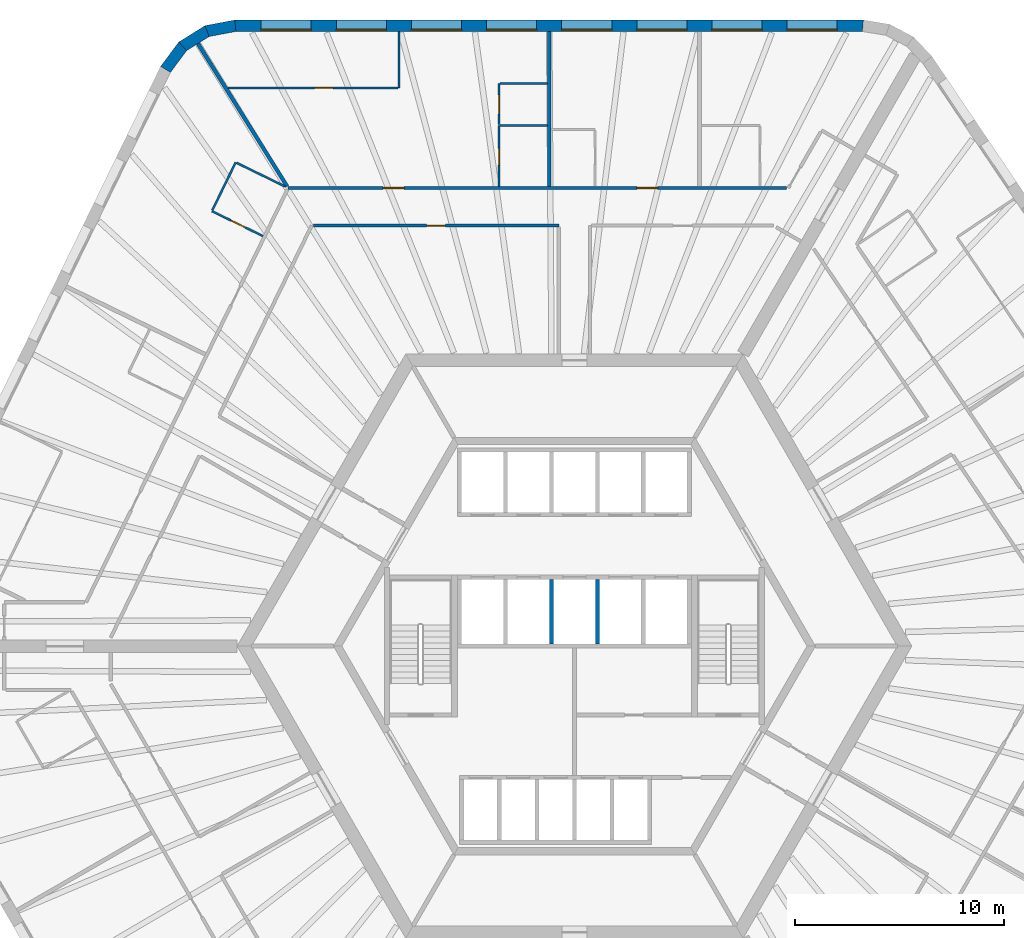
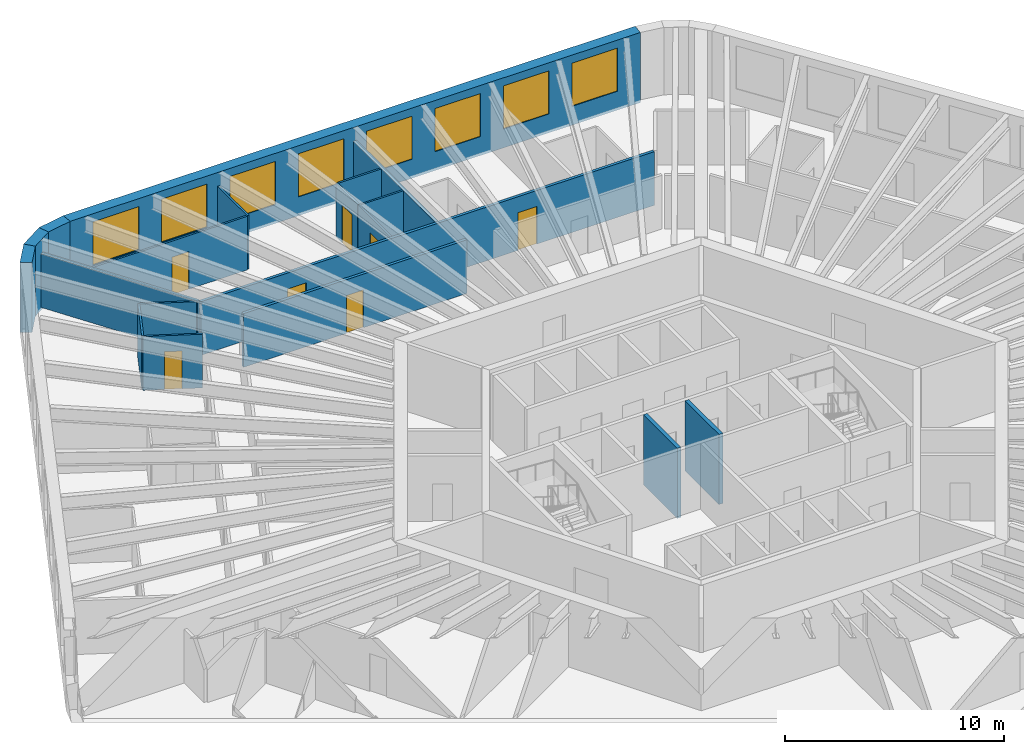
# One storey, part 8 of 12: 19 walls, 8 windows, 7 doors, 15 openings.
"""IFC4 building model written with IfcOpenShell, lengths in metres."""

import ifcopenshell
import ifcopenshell.guid

model = None  # the IFC model being written
_history = None  # IfcOwnerHistory: only IFC2X3 demands one
_inside = {}  # id of a spatial element -> (the spatial element, [elements in it])
_under = {}  # id of a project, library or spatial element -> (it, [spatial elements below it])
_declared = {}  # id of a project -> (the project, [libraries it declares])
_typed = {}  # id of a type object -> (the type object, [elements of that type])
_made_of = {}  # id of a material, layer set ... -> (it, [elements and type objects made of it])


def new_model(schema):
    """Start an empty IFC model of exactly this schema.

    Asked for "IFC4X3", IfcOpenShell would pick the latest addendum, in which some entities
    have other attributes; the version numbers below select the first issue.
    IFC2X3 requires an IfcOwnerHistory on every rooted entity: one is made here for all.
    """
    global model, _history
    if schema == "IFC4X3":
        model = ifcopenshell.file(schema_version=(4, 3, 0, 0))
    else:
        model = ifcopenshell.file(schema=schema)
    _inside.clear()
    _under.clear()
    _declared.clear()
    _typed.clear()
    _made_of.clear()
    _history = None
    if model.schema == "IFC2X3":
        org = make("IfcOrganization", Name="unknown")
        user = make(
            "IfcPersonAndOrganization",
            ThePerson=make("IfcPerson", FamilyName="unknown"),
            TheOrganization=org,
        )
        app = make(
            "IfcApplication",
            ApplicationDeveloper=org,
            Version="unknown",
            ApplicationFullName="unknown",
            ApplicationIdentifier="unknown",
        )
        _history = make(
            "IfcOwnerHistory",
            OwningUser=user,
            OwningApplication=app,
            ChangeAction="ADDED",
            CreationDate=0,
        )
    return model


def make(cls, **values):
    """One entity of the class cls with the attributes given. An attribute that is None is left unset."""
    return model.create_entity(
        cls, **{name: value for name, value in values.items() if value is not None}
    )


def rooted(cls, **values):
    """An entity with a GlobalId (a new one), such as an element, a storey or a relation."""
    return make(cls, GlobalId=ifcopenshell.guid.new(), OwnerHistory=_history, **values)


def si_unit(unit_type, name, prefix=None):
    """IfcSIUnit, for example si_unit("LENGTHUNIT", "METRE", prefix="MILLI")."""
    return make("IfcSIUnit", UnitType=unit_type, Prefix=prefix, Name=name)


def assignment(units):
    """IfcUnitAssignment: the units of a project."""
    return None if units is None else make("IfcUnitAssignment", Units=units)


def point(xyz):
    """IfcCartesianPoint."""
    return None if xyz is None else make("IfcCartesianPoint", Coordinates=xyz)


def direction(xyz):
    """IfcDirection."""
    return None if xyz is None else make("IfcDirection", DirectionRatios=xyz)


def frame(location, z_axis=None, x_axis=None):
    """IfcAxis2Placement3D, a coordinate frame: its origin and axes. An axis left out is left unset."""
    return make(
        "IfcAxis2Placement3D",
        Location=point(location),
        Axis=direction(z_axis),
        RefDirection=direction(x_axis),
    )


def frame_2d(location, x_axis=None):
    """IfcAxis2Placement2D, a coordinate frame in the plane: its origin and x axis."""
    return make(
        "IfcAxis2Placement2D", Location=point(location), RefDirection=direction(x_axis)
    )


def origin():
    """The frame at (0, 0, 0) with its axes left unset."""
    return frame((0.0, 0.0, 0.0))


def place(relative_to, where):
    """IfcLocalPlacement: puts the frame where relative to a parent placement (None: the world)."""
    return make(
        "IfcLocalPlacement", PlacementRelTo=relative_to, RelativePlacement=where
    )


def context(
    kind, dimensions, precision=None, world=None, true_north=None, identifier=None
):
    """IfcGeometricRepresentationContext, for example the 3D "Model" context."""
    return make(
        "IfcGeometricRepresentationContext",
        ContextIdentifier=identifier,
        ContextType=kind,
        CoordinateSpaceDimension=dimensions,
        Precision=precision,
        WorldCoordinateSystem=world,
        TrueNorth=true_north,
    )


def subcontext(parent, identifier, kind, view, scale=None):
    """IfcGeometricRepresentationSubContext, for example "Body" below "Model"."""
    return make(
        "IfcGeometricRepresentationSubContext",
        ContextIdentifier=identifier,
        ContextType=kind,
        ParentContext=parent,
        TargetScale=scale,
        TargetView=view,
    )


def project(units=None, contexts=None):
    """IfcProject with its units and contexts."""
    return rooted(
        "IfcProject",
        Name="project",
        RepresentationContexts=contexts,
        UnitsInContext=assignment(units),
    )


def spatial(cls, under=None, at=None, **own):
    """A site, building, storey or space (cls), placed at a placement, below another one or the project."""
    s = rooted(cls, ObjectPlacement=at, **own)
    if under is not None:
        _under.setdefault(under.id(), (under, []))[1].append(s)
    return s


def polyline(points):
    """IfcPolyline through the points."""
    return make("IfcPolyline", Points=[point(p) for p in points])


def profile(cls, at=None, kind="AREA", **sizes):
    """A parametric profile (cls). Its sizes go by their IFC names, for example OverallWidth=200.0."""
    return make(cls, ProfileType=kind, Position=at, **sizes)


def rectangle(**sizes):
    """IfcRectangleProfileDef."""
    return profile("IfcRectangleProfileDef", **sizes)


def outline(outer, holes=None, kind="AREA"):
    """IfcArbitraryClosedProfileDef: a profile drawn as a closed curve; with holes, ...WithVoids."""
    if holes is None:
        return make("IfcArbitraryClosedProfileDef", ProfileType=kind, OuterCurve=outer)
    return make(
        "IfcArbitraryProfileDefWithVoids",
        ProfileType=kind,
        OuterCurve=outer,
        InnerCurves=holes,
    )


def extrude(swept, where, along, depth):
    """IfcExtrudedAreaSolid: the profile swept, set in the frame where, extruded along a direction by depth."""
    return make(
        "IfcExtrudedAreaSolid",
        SweptArea=swept,
        Position=where,
        ExtrudedDirection=direction(along),
        Depth=depth,
    )


def shape(context_of_items, identifier, shape_type, items):
    """IfcShapeRepresentation: the items that make up one representation, for example the "Body"."""
    return make(
        "IfcShapeRepresentation",
        ContextOfItems=context_of_items,
        RepresentationIdentifier=identifier,
        RepresentationType=shape_type,
        Items=items,
    )


def material(Name=None, Category=None):
    """IfcMaterial."""
    return make("IfcMaterial", Name=Name, Category=Category)


def layer(
    of_material, thickness, ventilated=None, Name=None, Category=None, Priority=None
):
    """IfcMaterialLayer: one layer of a wall or slab, of a material (None: an air gap)."""
    return make(
        "IfcMaterialLayer",
        Material=of_material,
        LayerThickness=thickness,
        IsVentilated=ventilated,
        Name=Name,
        Category=Category,
        Priority=Priority,
    )


def layer_set(layers, Name=None):
    """IfcMaterialLayerSet."""
    return make("IfcMaterialLayerSet", MaterialLayers=layers, LayerSetName=Name)


def made_of(thing, what):
    """Note that an element or type object is made of a material, layer set ...; save() writes the relation."""
    if what is not None:
        _made_of.setdefault(what.id(), (what, []))[1].append(thing)
    return thing


def type_object(cls, material=None, **own):
    """A type object (cls), such as IfcWallType, which elements share."""
    return made_of(rooted(cls, **own), material)


def element(
    cls,
    number,
    at=None,
    inside=None,
    cuts=None,
    type_object=None,
    material=None,
    context=None,
    identifier="Body",
    shape_type=None,
    held_by="IfcProductDefinitionShape",
    body=None,
    shapes=None,
    **own,
):
    """One element of the class cls, such as IfcWall. Its Tag is "e" and its number.

    at: its placement. inside: the storey or other place that contains it. cuts: it is an
    opening in that element (IfcRelVoidsElement). A single representation is given by context,
    identifier, shape_type and body (its items); several are given by shapes. held_by: the class
    of the entity that holds the representations. save() writes the other relations.
    """
    e = rooted(cls, Tag="e%d" % number, ObjectPlacement=at, **own)
    if body is not None:
        shapes = [shape(context, identifier, shape_type, body)]
    if shapes is not None:
        e.Representation = make(held_by, Representations=shapes)
    if inside is not None:
        _inside.setdefault(inside.id(), (inside, []))[1].append(e)
    if cuts is not None:
        rooted(
            "IfcRelVoidsElement", RelatingBuildingElement=cuts, RelatedOpeningElement=e
        )
    if type_object is not None:
        _typed.setdefault(type_object.id(), (type_object, []))[1].append(e)
    return made_of(e, material)


def fill(opening, filler):
    """IfcRelFillsElement: the door or window that sits in an opening."""
    return rooted(
        "IfcRelFillsElement",
        RelatingOpeningElement=opening,
        RelatedBuildingElement=filler,
    )


def aggregate(whole, parts):
    """IfcRelAggregates: a whole, such as a stair, and the parts it consists of."""
    return rooted("IfcRelAggregates", RelatingObject=whole, RelatedObjects=parts)


def save(model, path):
    """Write the relations noted so far, then the file.

    IfcRelAggregates (storeys below a building ...), IfcRelContainedInSpatialStructure (elements
    in a storey), IfcRelDefinesByType, IfcRelAssociatesMaterial and IfcRelDeclares: one each for
    every whole, place, type object, material and project.
    """
    for whole, parts in _under.values():
        aggregate(whole, parts)
    for where, things in _inside.values():
        rooted(
            "IfcRelContainedInSpatialStructure",
            RelatedElements=things,
            RelatingStructure=where,
        )
    for kind, things in _typed.values():
        rooted("IfcRelDefinesByType", RelatedObjects=things, RelatingType=kind)
    for what, things in _made_of.values():
        rooted("IfcRelAssociatesMaterial", RelatedObjects=things, RelatingMaterial=what)
    for by, libraries in _declared.values():
        rooted("IfcRelDeclares", RelatingContext=by, RelatedDefinitions=libraries)
    model.write(path)


model = new_model("IFC4")

# Units and contexts
model_context = context("Model", 3, precision=1e-05, world=origin(), true_north=direction((0.0, 1.0)))
body_context = subcontext(model_context, "Body", "Model", "MODEL_VIEW")
ifc_project = project(units=[si_unit("LENGTHUNIT", "METRE"), si_unit("AREAUNIT", "SQUARE_METRE"), si_unit("VOLUMEUNIT", "CUBIC_METRE"), si_unit("PLANEANGLEUNIT", "RADIAN"), si_unit("MASSUNIT", "GRAM", prefix="KILO")], contexts=[model_context])

# Site, building, storey
site_placement = place(None, origin())
site = spatial("IfcSite", under=ifc_project, at=site_placement, CompositionType="ELEMENT")
building_placement = place(site_placement, origin())
building = spatial("IfcBuilding", under=site, at=building_placement, Name="Tarnside Tower", CompositionType="ELEMENT")
storey_placement = place(building_placement, frame((0.0, 0.0, 115.5)))
storey = spatial("IfcBuildingStorey", under=building, at=storey_placement, Name="L26", CompositionType="ELEMENT", Elevation=115.5)

# Wall, opening, door
ifc_material_1 = material(Name="Gypsum board partition on steel studs", Category="steel")
ifc_layer_1 = layer(ifc_material_1, 0.10009765625)
ifc_layer_set_1 = layer_set([ifc_layer_1], Name="Bathroom wall 100")
wall_type_1 = type_object("IfcWallType", Name="Bathroom wall 100", PredefinedType="PARTITIONING", material=ifc_layer_set_1)
wall_1_placement = place(storey_placement, frame((-3.611083984375, 22.02490234375, 0.0), z_axis=(0.0, 0.0, 1.0), x_axis=(0.0, 1.0, 0.0)))
wall_1 = element("IfcWall", 1, at=wall_1_placement, inside=storey, type_object=wall_type_1, Name="Bathroom wall 08081", PredefinedType="PARTITIONING", context=body_context, shape_type="SweptSolid", body=[
    extrude(rectangle(XDim=2.925048828125, YDim=0.10009765625, at=frame_2d((1.46240234375, 0.0))), origin(), (0.0, 0.0, 1.0), 2.98779296875),
])
opening_1_placement = place(wall_1_placement, frame((1.02490234375, 0.0, 0.0)))
opening_1 = element("IfcOpeningElement", 2, at=opening_1_placement, cuts=wall_1, Name="Opening D-B1", PredefinedType="OPENING", context=body_context, shape_type="SweptSolid", body=[
    extrude(rectangle(XDim=0.800048828125, YDim=2.10009765625, at=frame_2d((0.39990234375, 1.050048828125))), frame((0.0, 0.06005859375, 0.0), z_axis=(0.0, -1.0, 0.0), x_axis=(1.0, 0.0, 0.0)), (0.0, 0.0, 1.0), 0.1201171875),
])
ifc_material_2 = material(Name="Timber door leaf", Category="wood")
door_type_1 = type_object("IfcDoorType", Name="Bathroom door 800", OperationType="NOTDEFINED", PredefinedType="DOOR", material=ifc_material_2)
door_1_placement = place(opening_1_placement, origin())
door_1 = element("IfcDoor", 3, at=door_1_placement, inside=storey, type_object=door_type_1, Name="Bathroom door 08006", OperationType="SINGLE_SWING_RIGHT", OverallHeight=2.10009765625, OverallWidth=0.800048828125, PredefinedType="DOOR", context=body_context, shape_type="SweptSolid", body=[
    extrude(rectangle(XDim=0.800048828125, YDim=2.10009765625, at=frame_2d((0.39990234375, 1.050048828125))), frame((0.0, 0.02490234375, 0.0), z_axis=(0.0, -1.0, 0.0), x_axis=(1.0, 0.0, 0.0)), (0.0, 0.0, 1.0), 0.050048828125),
])
fill(opening_1, door_1)

# Wall
wall_2_placement = place(storey_placement, frame((-1.301025390625, 24.949951171875, 0.0), z_axis=(0.0, 0.0, 1.0), x_axis=(-1.0, 0.0, 0.0)))
element("IfcWall", 4, at=wall_2_placement, inside=storey, type_object=wall_type_1, Name="Bathroom wall 08087", PredefinedType="PARTITIONING", context=body_context, shape_type="SweptSolid", body=[
    extrude(rectangle(XDim=2.260009765625, YDim=0.10009765625, at=frame_2d((1.1298828125, 0.0))), origin(), (0.0, 0.0, 1.0), 2.98779296875),
])

# Wall, opening, door
wall_3_placement = place(storey_placement, frame((-14.923095703125, 19.64599609375, 0.0), z_axis=(0.0, 0.0, 1.0), x_axis=(-0.898791692788, 0.43837597217, 0.0)))
wall_3 = element("IfcWall", 5, at=wall_3_placement, inside=storey, type_object=wall_type_1, Name="Bathroom wall 08089", PredefinedType="PARTITIONING", context=body_context, shape_type="SweptSolid", body=[
    extrude(rectangle(XDim=2.72509765625, YDim=0.10009765625, at=frame_2d((1.362548828125, 0.0))), origin(), (0.0, 0.0, 1.0), 2.98779296875),
])
opening_2_placement = place(wall_3_placement, frame((0.925048828125, 0.0, 0.0)))
opening_2 = element("IfcOpeningElement", 6, at=opening_2_placement, cuts=wall_3, Name="Opening D-B1", PredefinedType="OPENING", context=body_context, shape_type="SweptSolid", body=[
    extrude(rectangle(XDim=0.800048828125, YDim=2.10009765625, at=frame_2d((0.39990234375, 1.050048828125))), frame((0.0, 0.06005859375, 0.0), z_axis=(0.0, -1.0, 0.0), x_axis=(1.0, 0.0, 0.0)), (0.0, 0.0, 1.0), 0.1201171875),
])
door_2_placement = place(opening_2_placement, origin())
door_2 = element("IfcDoor", 7, at=door_2_placement, inside=storey, type_object=door_type_1, Name="Bathroom door 08010", OperationType="SINGLE_SWING_RIGHT", OverallHeight=2.10009765625, OverallWidth=0.800048828125, PredefinedType="DOOR", context=body_context, shape_type="SweptSolid", body=[
    extrude(rectangle(XDim=0.800048828125, YDim=2.10009765625, at=frame_2d((0.39990234375, 1.050048828125))), frame((0.0, 0.02490234375, 0.0), z_axis=(0.0, -1.0, 0.0), x_axis=(1.0, 0.0, 0.0)), (0.0, 0.0, 1.0), 0.050048828125),
])
fill(opening_2, door_2)

# Walls
wall_4_placement = place(storey_placement, frame((-17.350341796875, 20.885498046875, 0.0), z_axis=(0.0, 0.0, 1.0), x_axis=(0.438384020656, 0.898787767181, 0.0)))
element("IfcWall", 8, at=wall_4_placement, inside=storey, type_object=wall_type_1, Name="Bathroom wall 08090", PredefinedType="PARTITIONING", context=body_context, shape_type="SweptSolid", body=[
    extrude(rectangle(XDim=2.550048828125, YDim=0.10009765625, at=frame_2d((1.27490234375, 0.0))), origin(), (0.0, 0.0, 1.0), 2.98779296875),
])
wall_5_placement = place(storey_placement, frame((-16.1875, 23.155517578125, 0.0), z_axis=(0.0, 0.0, 1.0), x_axis=(0.898776633961, -0.438406845573, 0.0)))
element("IfcWall", 9, at=wall_5_placement, inside=storey, type_object=wall_type_1, Name="Bathroom wall 08091", PredefinedType="PARTITIONING", context=body_context, shape_type="SweptSolid", body=[
    extrude(rectangle(XDim=2.578857421875, YDim=0.10009765625, at=frame_2d((1.28955078125, 0.0))), origin(), (0.0, 0.0, 1.0), 2.98779296875),
])

# Wall, openings, doors
ifc_layer_2 = layer(ifc_material_1, 0.14990234375)
ifc_layer_set_2 = layer_set([ifc_layer_2], Name="Corridor wall 150 EI 60")
wall_type_2 = type_object("IfcWallType", Name="Corridor wall 150 EI 60", PredefinedType="PARTITIONING", material=ifc_layer_set_2)
wall_6_placement = place(storey_placement, frame((10.161376953125, 21.949951171875, 0.0), z_axis=(0.0, 0.0, 1.0), x_axis=(-1.0, 0.0, 0.0)))
wall_6 = element("IfcWall", 10, at=wall_6_placement, inside=storey, type_object=wall_type_2, Name="Corridor wall 08003", PredefinedType="PARTITIONING", context=body_context, shape_type="SweptSolid", body=[
    extrude(rectangle(XDim=23.877197265625, YDim=0.14990234375, at=frame_2d((11.9384765625, 0.0))), origin(), (0.0, 0.0, 1.0), 2.98779296875),
])
opening_3_placement = place(wall_6_placement, frame((6.17236328125, 0.0, 0.0)))
opening_3 = element("IfcOpeningElement", 11, at=opening_3_placement, cuts=wall_6, Name="Opening D-E1", PredefinedType="OPENING", context=body_context, shape_type="SweptSolid", body=[
    extrude(rectangle(XDim=1.0, YDim=2.10009765625, at=frame_2d((0.5, 1.050048828125))), frame((0.0, 0.0849609375, 0.0), z_axis=(0.0, -1.0, 0.0), x_axis=(1.0, 0.0, 0.0)), (0.0, 0.0, 1.0), 0.169921875),
])
opening_4_placement = place(wall_6_placement, frame((18.324951171875, 0.0, 0.0)))
opening_4 = element("IfcOpeningElement", 12, at=opening_4_placement, cuts=wall_6, Name="Opening D-E1", PredefinedType="OPENING", context=body_context, shape_type="SweptSolid", body=[
    extrude(rectangle(XDim=1.0, YDim=2.10009765625, at=frame_2d((0.5, 1.050048828125))), frame((0.0, 0.0849609375, 0.0), z_axis=(0.0, -1.0, 0.0), x_axis=(1.0, 0.0, 0.0)), (0.0, 0.0, 1.0), 0.169921875),
])
door_type_2 = type_object("IfcDoorType", Name="Unit entrance door 1000 FD30S", OperationType="NOTDEFINED", PredefinedType="DOOR", material=ifc_material_2)
door_3_placement = place(opening_3_placement, origin())
door_3 = element("IfcDoor", 13, at=door_3_placement, inside=storey, type_object=door_type_2, Name="Unit door 08003", OperationType="SINGLE_SWING_LEFT", OverallHeight=2.10009765625, OverallWidth=1.0, PredefinedType="DOOR", context=body_context, shape_type="SweptSolid", body=[
    extrude(rectangle(XDim=1.0, YDim=2.10009765625, at=frame_2d((0.5, 1.050048828125))), frame((0.0, 0.02490234375, 0.0), z_axis=(0.0, -1.0, 0.0), x_axis=(1.0, 0.0, 0.0)), (0.0, 0.0, 1.0), 0.050048828125),
])
fill(opening_3, door_3)
door_4_placement = place(opening_4_placement, origin())
door_4 = element("IfcDoor", 14, at=door_4_placement, inside=storey, type_object=door_type_2, Name="Unit door 08005", OperationType="SINGLE_SWING_RIGHT", OverallHeight=2.10009765625, OverallWidth=1.0, PredefinedType="DOOR", context=body_context, shape_type="SweptSolid", body=[
    extrude(rectangle(XDim=1.0, YDim=2.10009765625, at=frame_2d((0.5, 1.050048828125))), frame((0.0, 0.02490234375, 0.0), z_axis=(0.0, -1.0, 0.0), x_axis=(1.0, 0.0, 0.0)), (0.0, 0.0, 1.0), 0.050048828125),
])
fill(opening_4, door_4)

# Wall, opening, door
wall_7_placement = place(storey_placement, frame((-12.507568359375, 20.14990234375, 0.0), z_axis=(0.0, 0.0, 1.0), x_axis=(1.0, 0.0, 0.0)))
wall_7 = element("IfcWall", 15, at=wall_7_placement, inside=storey, type_object=wall_type_2, Name="Corridor wall 08018", PredefinedType="PARTITIONING", context=body_context, shape_type="SweptSolid", body=[
    extrude(rectangle(XDim=11.757568359375, YDim=0.14990234375, at=frame_2d((5.87890625, 0.0))), origin(), (0.0, 0.0, 1.0), 2.98779296875),
])
opening_5_placement = place(wall_7_placement, frame((5.428955078125, 0.0, 0.0)))
opening_5 = element("IfcOpeningElement", 16, at=opening_5_placement, cuts=wall_7, Name="Opening D-S1", PredefinedType="OPENING", context=body_context, shape_type="SweptSolid", body=[
    extrude(rectangle(XDim=0.89990234375, YDim=2.10009765625, at=frame_2d((0.449951171875, 1.050048828125))), frame((0.0, 0.0849609375, 0.0), z_axis=(0.0, -1.0, 0.0), x_axis=(1.0, 0.0, 0.0)), (0.0, 0.0, 1.0), 0.169921875),
])
door_type_3 = type_object("IfcDoorType", Name="Service room door 900 FD30S", OperationType="NOTDEFINED", PredefinedType="DOOR", material=ifc_material_2)
door_5_placement = place(opening_5_placement, origin())
door_5 = element("IfcDoor", 17, at=door_5_placement, inside=storey, type_object=door_type_3, Name="Service door 08040", OperationType="SINGLE_SWING_RIGHT", OverallHeight=2.10009765625, OverallWidth=0.89990234375, PredefinedType="DOOR", context=body_context, shape_type="SweptSolid", body=[
    extrude(rectangle(XDim=0.89990234375, YDim=2.10009765625, at=frame_2d((0.449951171875, 1.050048828125))), frame((0.0, 0.02490234375, 0.0), z_axis=(0.0, -1.0, 0.0), x_axis=(1.0, 0.0, 0.0)), (0.0, 0.0, 1.0), 0.050048828125),
])
fill(opening_5, door_5)

# Walls
ifc_layer_3 = layer(ifc_material_1, 0.179931640625)
ifc_layer_set_3 = layer_set([ifc_layer_3], Name="Demising wall 180 EI 60")
wall_type_3 = type_object("IfcWallType", Name="Demising wall 180 EI 60", PredefinedType="PARTITIONING", material=ifc_layer_set_3)
wall_8_placement = place(storey_placement, frame((-1.2109375, 29.449951171875, 0.0), z_axis=(0.0, 0.0, 1.0), x_axis=(0.0, -1.0, 0.0)))
element("IfcWall", 18, at=wall_8_placement, inside=storey, type_object=wall_type_3, Name="Demising wall 08077", PredefinedType="PARTITIONING", context=body_context, shape_type="SweptSolid", body=[
    extrude(rectangle(XDim=7.425048828125, YDim=0.179931640625, at=frame_2d((3.71240234375, 0.0))), origin(), (0.0, 0.0, 1.0), 2.98779296875),
])
wall_9_placement = place(storey_placement, frame((-18.040771484375, 28.87109375, 0.0), z_axis=(0.0, 0.0, 1.0), x_axis=(0.529928260537, -0.848042474575, 0.0)))
element("IfcWall", 19, at=wall_9_placement, inside=storey, type_object=wall_type_3, Name="Demising wall 08086", PredefinedType="PARTITIONING", context=body_context, shape_type="SweptSolid", body=[
    extrude(rectangle(XDim=8.072998046875, YDim=0.179931640625, at=frame_2d((4.03662109375, 0.0))), origin(), (0.0, 0.0, 1.0), 2.98779296875),
])
ifc_material_3 = material(Name="Concrete C40/50", Category="concrete")
ifc_layer_4 = layer(ifc_material_3, 0.199951171875)
ifc_layer_set_4 = layer_set([ifc_layer_4], Name="Lift shaft wall 200 C40/50")
wall_type_4 = type_object("IfcWallType", Name="Lift shaft wall 200 C40/50", PredefinedType="SHEAR", material=ifc_layer_set_4)
for number, where, z_axis, x_axis, name in (
    (20, (-1.10009765625, 0.10009765625, -0.25), (0.0, 0.0, 1.0), (0.0, 1.0, 0.0), "L26 lift shaft partition R23"),
    (21, (1.10009765625, 0.10009765625, -0.25), (0.0, 0.0, 1.0), (0.0, 1.0, 0.0), "L26 lift shaft partition R24"),
):
    element("IfcWall", number, at=place(storey_placement, frame(where, z_axis=z_axis, x_axis=x_axis)), inside=storey, type_object=wall_type_4, Name=name, PredefinedType="SHEAR", context=body_context, shape_type="SweptSolid", body=[
        extrude(rectangle(XDim=3.099853515625, YDim=0.199951171875, at=frame_2d((1.5498046875, 0.0))), origin(), (0.0, 0.0, 1.0), 3.89990234375),
    ])

# Wall, opening, door
ifc_layer_5 = layer(ifc_material_1, 0.10009765625)
ifc_layer_set_5 = layer_set([ifc_layer_5], Name="Partition 100")
wall_type_5 = type_object("IfcWallType", Name="Partition 100", PredefinedType="PARTITIONING", material=ifc_layer_set_5)
wall_10_placement = place(storey_placement, frame((-3.611083984375, 25.0, 0.0), z_axis=(0.0, 0.0, 1.0), x_axis=(0.0, 1.0, 0.0)))
wall_10 = element("IfcWall", 22, at=wall_10_placement, inside=storey, type_object=wall_type_5, Name="Partition wall 08082", PredefinedType="PARTITIONING", context=body_context, shape_type="SweptSolid", body=[
    extrude(rectangle(XDim=1.949951171875, YDim=0.10009765625, at=frame_2d((0.97509765625, 0.0))), origin(), (0.0, 0.0, 1.0), 2.98779296875),
])
opening_6_placement = place(wall_10_placement, frame((0.5, 0.0, 0.0)))
opening_6 = element("IfcOpeningElement", 23, at=opening_6_placement, cuts=wall_10, Name="Opening D-I1", PredefinedType="OPENING", context=body_context, shape_type="SweptSolid", body=[
    extrude(rectangle(XDim=0.89990234375, YDim=2.10009765625, at=frame_2d((0.449951171875, 1.050048828125))), frame((0.0, 0.06005859375, 0.0), z_axis=(0.0, -1.0, 0.0), x_axis=(1.0, 0.0, 0.0)), (0.0, 0.0, 1.0), 0.1201171875),
])
door_type_4 = type_object("IfcDoorType", Name="Internal door 900", OperationType="NOTDEFINED", PredefinedType="DOOR", material=ifc_material_2)
door_6_placement = place(opening_6_placement, origin())
door_6 = element("IfcDoor", 24, at=door_6_placement, inside=storey, type_object=door_type_4, Name="Internal door 08007", OperationType="SINGLE_SWING_RIGHT", OverallHeight=2.10009765625, OverallWidth=0.89990234375, PredefinedType="DOOR", context=body_context, shape_type="SweptSolid", body=[
    extrude(rectangle(XDim=0.89990234375, YDim=2.10009765625, at=frame_2d((0.449951171875, 1.050048828125))), frame((0.0, 0.02490234375, 0.0), z_axis=(0.0, -1.0, 0.0), x_axis=(1.0, 0.0, 0.0)), (0.0, 0.0, 1.0), 0.050048828125),
])
fill(opening_6, door_6)

# Walls
wall_11_placement = place(storey_placement, frame((-3.56103515625, 26.949951171875, 0.0), z_axis=(0.0, 0.0, 1.0), x_axis=(1.0, 0.0, 0.0)))
element("IfcWall", 25, at=wall_11_placement, inside=storey, type_object=wall_type_5, Name="Partition wall 08083", PredefinedType="PARTITIONING", context=body_context, shape_type="SweptSolid", body=[
    extrude(rectangle(XDim=2.260009765625, YDim=0.10009765625, at=frame_2d((1.1298828125, 0.0))), origin(), (0.0, 0.0, 1.0), 2.98779296875),
])
wall_12_placement = place(storey_placement, frame((-8.4111328125, 29.449951171875, 0.0), z_axis=(0.0, 0.0, 1.0), x_axis=(0.0, -1.0, 0.0)))
element("IfcWall", 26, at=wall_12_placement, inside=storey, type_object=wall_type_5, Name="Partition wall 08084", PredefinedType="PARTITIONING", context=body_context, shape_type="SweptSolid", body=[
    extrude(rectangle(XDim=2.699951171875, YDim=0.10009765625, at=frame_2d((1.35009765625, 0.0))), origin(), (0.0, 0.0, 1.0), 2.98779296875),
])

# Wall, opening, door
wall_13_placement = place(storey_placement, frame((-8.4609375, 26.75, 0.0), z_axis=(0.0, 0.0, 1.0), x_axis=(-1.0, 0.0, 0.0)))
wall_13 = element("IfcWall", 27, at=wall_13_placement, inside=storey, type_object=wall_type_5, Name="Partition wall 08085", PredefinedType="PARTITIONING", context=body_context, shape_type="SweptSolid", body=[
    extrude(rectangle(XDim=8.148193359375, YDim=0.10009765625, at=frame_2d((4.07421875, 0.0))), origin(), (0.0, 0.0, 1.0), 2.98779296875),
])
opening_7_placement = place(wall_13_placement, frame((3.10009765625, 0.0, 0.0)))
opening_7 = element("IfcOpeningElement", 28, at=opening_7_placement, cuts=wall_13, Name="Opening D-I1", PredefinedType="OPENING", context=body_context, shape_type="SweptSolid", body=[
    extrude(rectangle(XDim=0.89990234375, YDim=2.10009765625, at=frame_2d((0.449951171875, 1.050048828125))), frame((0.0, 0.06005859375, 0.0), z_axis=(0.0, -1.0, 0.0), x_axis=(1.0, 0.0, 0.0)), (0.0, 0.0, 1.0), 0.1201171875),
])
door_7_placement = place(opening_7_placement, origin())
door_7 = element("IfcDoor", 29, at=door_7_placement, inside=storey, type_object=door_type_4, Name="Internal door 08008", OperationType="SINGLE_SWING_RIGHT", OverallHeight=2.10009765625, OverallWidth=0.89990234375, PredefinedType="DOOR", context=body_context, shape_type="SweptSolid", body=[
    extrude(rectangle(XDim=0.89990234375, YDim=2.10009765625, at=frame_2d((0.449951171875, 1.050048828125))), frame((0.0, 0.02490234375, 0.0), z_axis=(0.0, -1.0, 0.0), x_axis=(1.0, 0.0, 0.0)), (0.0, 0.0, 1.0), 0.050048828125),
])
fill(opening_7, door_7)

# Wall, openings, windows
ifc_material_4 = material(Name="Facing brick", Category="masonry")
ifc_layer_6 = layer(ifc_material_4, 0.10205078125)
ifc_material_5 = material(Name="Concrete C60/75 precast", Category="concrete")
ifc_layer_7 = layer(ifc_material_5, 0.347900390625)
ifc_material_6 = material(Name="Mineral wool insulation")
ifc_layer_8 = layer(ifc_material_6, 0.10009765625)
ifc_layer_set_6 = layer_set([ifc_layer_6, ifc_layer_7, ifc_layer_8], Name="Tube wall 550 brick faced")
wall_type_6 = type_object("IfcWallType", Name="Tube wall 550 brick faced", PredefinedType="SOLIDWALL", material=ifc_layer_set_6)
wall_14_placement = place(storey_placement, frame((13.824462890625, 29.72509765625, -0.14990234375), z_axis=(0.0, 0.0, 1.0), x_axis=(-1.0, 0.0, 0.0)))
wall_14 = element("IfcWall", 30, at=wall_14_placement, inside=storey, type_object=wall_type_6, Name="Tube wall L26 F1 flush 00", PredefinedType="SOLIDWALL", context=body_context, shape_type="SweptSolid", body=[
    extrude(outline(polyline([(-0.0224609375, -0.27490234375), (30.0966796875, -0.27490234375), (30.04541015625, 0.27490234375), (0.0224609375, 0.27490234375), (-0.0224609375, -0.27490234375)])), origin(), (0.0, 0.0, 1.0), 3.89990234375),
])
opening_8_placement = place(wall_14_placement, frame((1.235595703125, 0.0, 1.050048828125)))
opening_8 = element("IfcOpeningElement", 31, at=opening_8_placement, cuts=wall_14, Name="Opening WH", PredefinedType="OPENING", context=body_context, shape_type="SweptSolid", body=[
    extrude(rectangle(XDim=2.39990234375, YDim=2.39990234375, at=frame_2d((1.199951171875, 1.199951171875))), frame((0.0, 0.28515625, 0.0), z_axis=(0.0, -1.0, 0.0), x_axis=(1.0, 0.0, 0.0)), (0.0, 0.0, 1.0), 0.570068359375),
])
opening_9_placement = place(wall_14_placement, frame((4.83544921875, 0.0, 1.050048828125)))
opening_9 = element("IfcOpeningElement", 32, at=opening_9_placement, cuts=wall_14, Name="Opening WH", PredefinedType="OPENING", context=body_context, shape_type="SweptSolid", body=[
    extrude(rectangle(XDim=2.39990234375, YDim=2.39990234375, at=frame_2d((1.199951171875, 1.199951171875))), frame((0.0, 0.28515625, 0.0), z_axis=(0.0, -1.0, 0.0), x_axis=(1.0, 0.0, 0.0)), (0.0, 0.0, 1.0), 0.570068359375),
])
opening_10_placement = place(wall_14_placement, frame((8.435546875, 0.0, 1.050048828125)))
opening_10 = element("IfcOpeningElement", 33, at=opening_10_placement, cuts=wall_14, Name="Opening WH", PredefinedType="OPENING", context=body_context, shape_type="SweptSolid", body=[
    extrude(rectangle(XDim=2.39990234375, YDim=2.39990234375, at=frame_2d((1.199951171875, 1.199951171875))), frame((0.0, 0.28515625, 0.0), z_axis=(0.0, -1.0, 0.0), x_axis=(1.0, 0.0, 0.0)), (0.0, 0.0, 1.0), 0.570068359375),
])
opening_11_placement = place(wall_14_placement, frame((12.035400390625, 0.0, 1.050048828125)))
opening_11 = element("IfcOpeningElement", 34, at=opening_11_placement, cuts=wall_14, Name="Opening WH", PredefinedType="OPENING", context=body_context, shape_type="SweptSolid", body=[
    extrude(rectangle(XDim=2.39990234375, YDim=2.39990234375, at=frame_2d((1.199951171875, 1.199951171875))), frame((0.0, 0.28515625, 0.0), z_axis=(0.0, -1.0, 0.0), x_axis=(1.0, 0.0, 0.0)), (0.0, 0.0, 1.0), 0.570068359375),
])
opening_12_placement = place(wall_14_placement, frame((15.635498046875, 0.0, 1.050048828125)))
opening_12 = element("IfcOpeningElement", 35, at=opening_12_placement, cuts=wall_14, Name="Opening WH", PredefinedType="OPENING", context=body_context, shape_type="SweptSolid", body=[
    extrude(rectangle(XDim=2.39990234375, YDim=2.39990234375, at=frame_2d((1.199951171875, 1.199951171875))), frame((0.0, 0.28515625, 0.0), z_axis=(0.0, -1.0, 0.0), x_axis=(1.0, 0.0, 0.0)), (0.0, 0.0, 1.0), 0.570068359375),
])
opening_13_placement = place(wall_14_placement, frame((19.235595703125, 0.0, 1.050048828125)))
opening_13 = element("IfcOpeningElement", 36, at=opening_13_placement, cuts=wall_14, Name="Opening WH", PredefinedType="OPENING", context=body_context, shape_type="SweptSolid", body=[
    extrude(rectangle(XDim=2.39990234375, YDim=2.39990234375, at=frame_2d((1.199951171875, 1.199951171875))), frame((0.0, 0.28515625, 0.0), z_axis=(0.0, -1.0, 0.0), x_axis=(1.0, 0.0, 0.0)), (0.0, 0.0, 1.0), 0.570068359375),
])
opening_14_placement = place(wall_14_placement, frame((22.83544921875, 0.0, 1.050048828125)))
opening_14 = element("IfcOpeningElement", 37, at=opening_14_placement, cuts=wall_14, Name="Opening WH", PredefinedType="OPENING", context=body_context, shape_type="SweptSolid", body=[
    extrude(rectangle(XDim=2.39990234375, YDim=2.39990234375, at=frame_2d((1.199951171875, 1.199951171875))), frame((0.0, 0.28515625, 0.0), z_axis=(0.0, -1.0, 0.0), x_axis=(1.0, 0.0, 0.0)), (0.0, 0.0, 1.0), 0.570068359375),
])
opening_15_placement = place(wall_14_placement, frame((26.435546875, 0.0, 1.050048828125)))
opening_15 = element("IfcOpeningElement", 38, at=opening_15_placement, cuts=wall_14, Name="Opening WH", PredefinedType="OPENING", context=body_context, shape_type="SweptSolid", body=[
    extrude(rectangle(XDim=2.39990234375, YDim=2.39990234375, at=frame_2d((1.199951171875, 1.199951171875))), frame((0.0, 0.28515625, 0.0), z_axis=(0.0, -1.0, 0.0), x_axis=(1.0, 0.0, 0.0)), (0.0, 0.0, 1.0), 0.570068359375),
])
ifc_material_7 = material(Name="Aluminium-framed double glazing", Category="aluminium")
window_type = type_object("IfcWindowType", Name="Hotel window 2400 x 2400", PartitioningType="DOUBLE_PANEL_VERTICAL", PredefinedType="WINDOW", material=ifc_material_7)
window_1_placement = place(opening_8_placement, frame((0.0, 0.205078125, 0.0)))
window_1 = element("IfcWindow", 39, at=window_1_placement, inside=storey, type_object=window_type, Name="E.WN.L26.F1.00", OverallHeight=2.39990234375, OverallWidth=2.39990234375, PartitioningType="DOUBLE_PANEL_VERTICAL", PredefinedType="WINDOW", context=body_context, shape_type="SweptSolid", body=[
    extrude(rectangle(XDim=2.39990234375, YDim=2.39990234375, at=frame_2d((1.199951171875, 1.199951171875))), frame((0.0, 0.030029296875, 0.0), z_axis=(0.0, -1.0, 0.0), x_axis=(1.0, 0.0, 0.0)), (0.0, 0.0, 1.0), 0.06005859375),
])
fill(opening_8, window_1)
window_2_placement = place(opening_9_placement, frame((0.0, 0.205078125, 0.0)))
window_2 = element("IfcWindow", 40, at=window_2_placement, inside=storey, type_object=window_type, Name="E.WN.L26.F1.01", OverallHeight=2.39990234375, OverallWidth=2.39990234375, PartitioningType="DOUBLE_PANEL_VERTICAL", PredefinedType="WINDOW", context=body_context, shape_type="SweptSolid", body=[
    extrude(rectangle(XDim=2.39990234375, YDim=2.39990234375, at=frame_2d((1.199951171875, 1.199951171875))), frame((0.0, 0.030029296875, 0.0), z_axis=(0.0, -1.0, 0.0), x_axis=(1.0, 0.0, 0.0)), (0.0, 0.0, 1.0), 0.06005859375),
])
fill(opening_9, window_2)
window_3_placement = place(opening_10_placement, frame((0.0, 0.205078125, 0.0)))
window_3 = element("IfcWindow", 41, at=window_3_placement, inside=storey, type_object=window_type, Name="E.WN.L26.F1.02", OverallHeight=2.39990234375, OverallWidth=2.39990234375, PartitioningType="DOUBLE_PANEL_VERTICAL", PredefinedType="WINDOW", context=body_context, shape_type="SweptSolid", body=[
    extrude(rectangle(XDim=2.39990234375, YDim=2.39990234375, at=frame_2d((1.199951171875, 1.199951171875))), frame((0.0, 0.030029296875, 0.0), z_axis=(0.0, -1.0, 0.0), x_axis=(1.0, 0.0, 0.0)), (0.0, 0.0, 1.0), 0.06005859375),
])
fill(opening_10, window_3)
window_4_placement = place(opening_11_placement, frame((0.0, 0.205078125, 0.0)))
window_4 = element("IfcWindow", 42, at=window_4_placement, inside=storey, type_object=window_type, Name="E.WN.L26.F1.03", OverallHeight=2.39990234375, OverallWidth=2.39990234375, PartitioningType="DOUBLE_PANEL_VERTICAL", PredefinedType="WINDOW", context=body_context, shape_type="SweptSolid", body=[
    extrude(rectangle(XDim=2.39990234375, YDim=2.39990234375, at=frame_2d((1.199951171875, 1.199951171875))), frame((0.0, 0.030029296875, 0.0), z_axis=(0.0, -1.0, 0.0), x_axis=(1.0, 0.0, 0.0)), (0.0, 0.0, 1.0), 0.06005859375),
])
fill(opening_11, window_4)
window_5_placement = place(opening_12_placement, frame((0.0, 0.205078125, 0.0)))
window_5 = element("IfcWindow", 43, at=window_5_placement, inside=storey, type_object=window_type, Name="E.WN.L26.F1.04", OverallHeight=2.39990234375, OverallWidth=2.39990234375, PartitioningType="DOUBLE_PANEL_VERTICAL", PredefinedType="WINDOW", context=body_context, shape_type="SweptSolid", body=[
    extrude(rectangle(XDim=2.39990234375, YDim=2.39990234375, at=frame_2d((1.199951171875, 1.199951171875))), frame((0.0, 0.030029296875, 0.0), z_axis=(0.0, -1.0, 0.0), x_axis=(1.0, 0.0, 0.0)), (0.0, 0.0, 1.0), 0.06005859375),
])
fill(opening_12, window_5)
window_6_placement = place(opening_13_placement, frame((0.0, 0.205078125, 0.0)))
window_6 = element("IfcWindow", 44, at=window_6_placement, inside=storey, type_object=window_type, Name="E.WN.L26.F1.05", OverallHeight=2.39990234375, OverallWidth=2.39990234375, PartitioningType="DOUBLE_PANEL_VERTICAL", PredefinedType="WINDOW", context=body_context, shape_type="SweptSolid", body=[
    extrude(rectangle(XDim=2.39990234375, YDim=2.39990234375, at=frame_2d((1.199951171875, 1.199951171875))), frame((0.0, 0.030029296875, 0.0), z_axis=(0.0, -1.0, 0.0), x_axis=(1.0, 0.0, 0.0)), (0.0, 0.0, 1.0), 0.06005859375),
])
fill(opening_13, window_6)
window_7_placement = place(opening_14_placement, frame((0.0, 0.205078125, 0.0)))
window_7 = element("IfcWindow", 45, at=window_7_placement, inside=storey, type_object=window_type, Name="E.WN.L26.F1.06", OverallHeight=2.39990234375, OverallWidth=2.39990234375, PartitioningType="DOUBLE_PANEL_VERTICAL", PredefinedType="WINDOW", context=body_context, shape_type="SweptSolid", body=[
    extrude(rectangle(XDim=2.39990234375, YDim=2.39990234375, at=frame_2d((1.199951171875, 1.199951171875))), frame((0.0, 0.030029296875, 0.0), z_axis=(0.0, -1.0, 0.0), x_axis=(1.0, 0.0, 0.0)), (0.0, 0.0, 1.0), 0.06005859375),
])
fill(opening_14, window_7)
window_8_placement = place(opening_15_placement, frame((0.0, 0.205078125, 0.0)))
window_8 = element("IfcWindow", 46, at=window_8_placement, inside=storey, type_object=window_type, Name="E.WN.L26.F1.07", OverallHeight=2.39990234375, OverallWidth=2.39990234375, PartitioningType="DOUBLE_PANEL_VERTICAL", PredefinedType="WINDOW", context=body_context, shape_type="SweptSolid", body=[
    extrude(rectangle(XDim=2.39990234375, YDim=2.39990234375, at=frame_2d((1.199951171875, 1.199951171875))), frame((0.0, 0.030029296875, 0.0), z_axis=(0.0, -1.0, 0.0), x_axis=(1.0, 0.0, 0.0)), (0.0, 0.0, 1.0), 0.06005859375),
])
fill(opening_15, window_8)

# Walls
wall_15_placement = place(storey_placement, frame((-16.24658203125, 29.72509765625, -0.14990234375), z_axis=(0.0, 0.0, 1.0), x_axis=(-0.982705443133, -0.185175624845, 0.0)))
element("IfcWall", 47, at=wall_15_placement, inside=storey, type_object=wall_type_6, Name="Tube wall L26 F1 chord 01", PredefinedType="SOLIDWALL", context=body_context, shape_type="SweptSolid", body=[
    extrude(outline(polyline([(-0.025634765625, -0.27490234375), (1.430908203125, -0.27490234375), (1.327392578125, 0.27490234375), (0.025634765625, 0.27490234375), (-0.025634765625, -0.27490234375)])), origin(), (0.0, 0.0, 1.0), 3.89990234375),
])
wall_16_placement = place(storey_placement, frame((-17.601806640625, 29.4697265625, -0.14990234375), z_axis=(0.0, 0.0, 1.0), x_axis=(-0.848057977594, -0.5299034503, 0.0)))
element("IfcWall", 48, at=wall_16_placement, inside=storey, type_object=wall_type_6, Name="Tube wall L26 F1 chord 02", PredefinedType="SOLIDWALL", context=body_context, shape_type="SweptSolid", body=[
    extrude(outline(polyline([(-0.0517578125, -0.27490234375), (1.4306640625, -0.27490234375), (1.3271484375, 0.27490234375), (0.0517578125, 0.27490234375), (-0.0517578125, -0.27490234375)])), origin(), (0.0, 0.0, 1.0), 3.89990234375),
])
wall_17_placement = place(storey_placement, frame((-18.771240234375, 28.739013671875, -0.14990234375), z_axis=(0.0, 0.0, 1.0), x_axis=(-0.597135295884, -0.802140535324, 0.0)))
element("IfcWall", 49, at=wall_17_placement, inside=storey, type_object=wall_type_6, Name="Tube wall L26 F1 chord 03", PredefinedType="SOLIDWALL", context=body_context, shape_type="SweptSolid", body=[
    extrude(outline(polyline([(-0.0517578125, -0.27490234375), (1.40478515625, -0.27490234375), (1.353515625, 0.27490234375), (0.0517578125, 0.27490234375), (-0.0517578125, -0.27490234375)])), origin(), (0.0, 0.0, 1.0), 3.89990234375),
])

save(model, "model.ifc")
